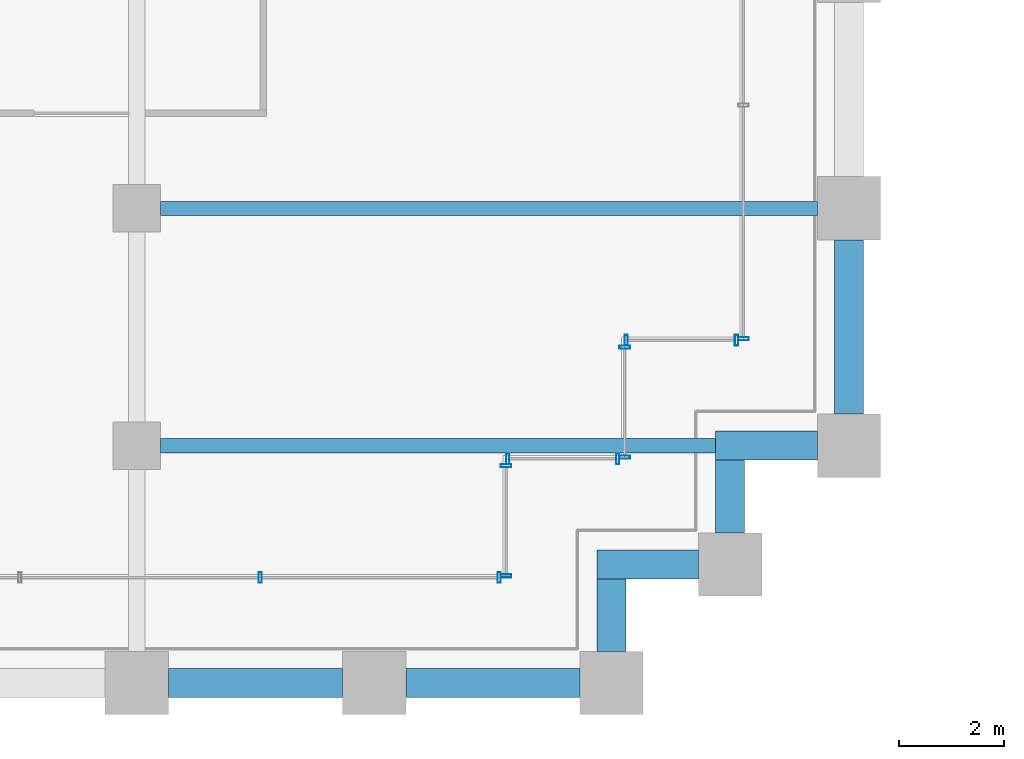
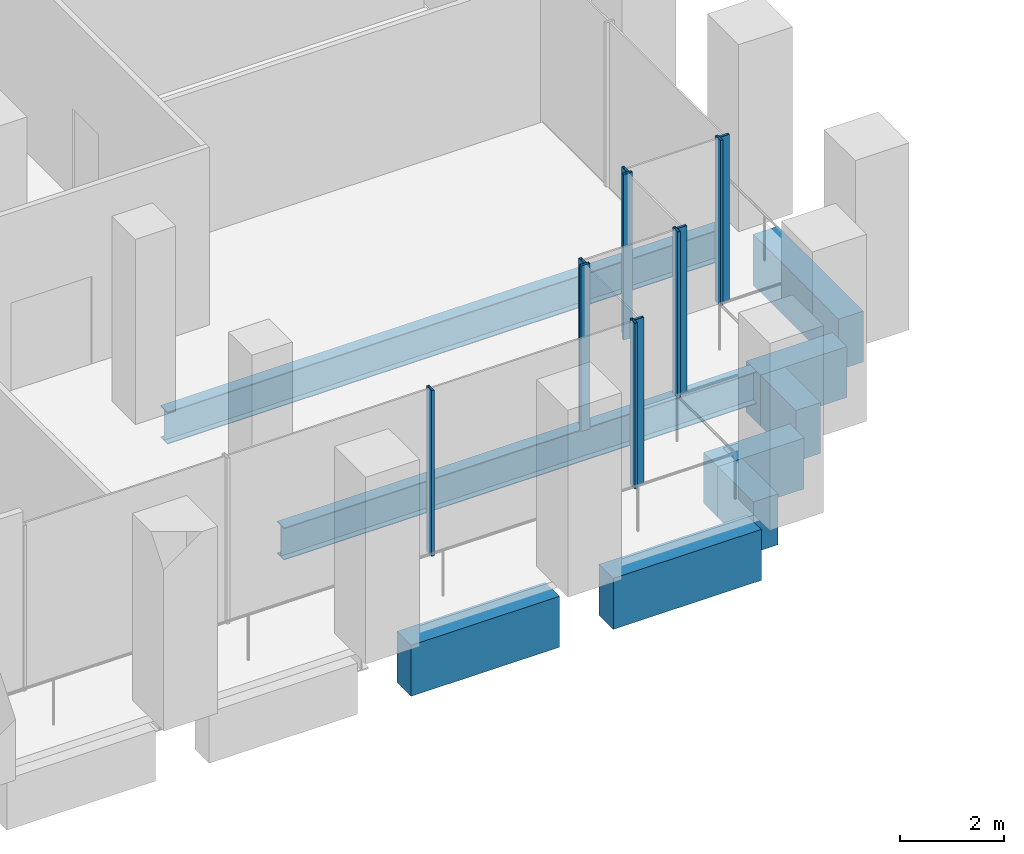
# One storey, part 9 of 36: 11 members, 9 beams, 6 elements without a shape of their own.
"""IFC4 building model written with IfcOpenShell, lengths in metres."""

from ifc_helpers import new_model, si_unit, direction, frame, origin, origin_2d, place, context, subcontext, project, spatial, rectangle, hollow_rectangle, i_section, extrude, material, material_profile, profile_set, type_object, element, aggregate, save


model = new_model("IFC4")

# Units and contexts
model_context = context("Model", 3, precision=1e-05, world=origin(), true_north=direction((0.0, 1.0)))
body_context = subcontext(model_context, "Body", "Model", "MODEL_VIEW")
ifc_project = project(units=[si_unit("LENGTHUNIT", "METRE"), si_unit("AREAUNIT", "SQUARE_METRE"), si_unit("VOLUMEUNIT", "CUBIC_METRE"), si_unit("PLANEANGLEUNIT", "RADIAN"), si_unit("MASSUNIT", "GRAM", prefix="KILO")], contexts=[model_context])

# Site, building, storey
site_placement = place(None, origin())
site = spatial("IfcSite", under=ifc_project, at=site_placement, CompositionType="ELEMENT")
building_placement = place(site_placement, origin())
building = spatial("IfcBuilding", under=site, at=building_placement, Name="Altepetl Exchange Towers", CompositionType="ELEMENT")
storey_placement = place(building_placement, frame((0.0, 0.0, 38.60009765625)))
storey = spatial("IfcBuildingStorey", under=building, at=storey_placement, Name="L08", CompositionType="ELEMENT", Elevation=38.60009765625)

# Beams
ifc_material_1 = material(Name="Steel S355", Category="steel")
ifc_material_profile_1 = material_profile(ifc_material_1, i_section(OverallWidth=0.26611328125, OverallDepth=0.758056640625, WebThickness=0.013916015625, FlangeThickness=0.019287109375, at=origin_2d()), Name="W30X108")
ifc_profile_set_1 = profile_set([ifc_material_profile_1], Name="Steel S355")
beam_type_1 = type_object("IfcBeamType", Name="Floor beam W30X108", PredefinedType="BEAM", material=ifc_profile_set_1)
beam_1_placement = place(storey_placement, frame((58.949951171875, 31.5, -0.55419921875), z_axis=(1.0, 0.0, 0.0), x_axis=(0.0, 1.0, 0.0)))
element("IfcBeam", 1, at=beam_1_placement, inside=storey, type_object=beam_type_1, Name="bm:A:L08:006", PredefinedType="BEAM", context=body_context, shape_type="SweptSolid", body=[
    extrude(i_section(OverallWidth=0.26611328125, OverallDepth=0.758056640625, WebThickness=0.013916015625, FlangeThickness=0.019287109375, at=origin_2d()), origin(), (0.0, 0.0, 1.0), 10.525146484375),
])
beam_2_placement = place(storey_placement, frame((58.949951171875, 36.0, -0.55419921875), z_axis=(1.0, 0.0, 0.0), x_axis=(0.0, 1.0, 0.0)))
element("IfcBeam", 2, at=beam_2_placement, inside=storey, type_object=beam_type_1, Name="bm:A:L08:007", PredefinedType="BEAM", context=body_context, shape_type="SweptSolid", body=[
    extrude(i_section(OverallWidth=0.26611328125, OverallDepth=0.758056640625, WebThickness=0.013916015625, FlangeThickness=0.019287109375, at=origin_2d()), origin(), (0.0, 0.0, 1.0), 12.449951171875),
])

# Curtain wall, members
ifc_material_2 = material(Name="Aluminium 6063-T6 glazing", Category="aluminium")
curtain_wall_type = type_object("IfcCurtainWallType", Name="Trading floor glazing system", PredefinedType="NOTDEFINED", material=ifc_material_2)
curtain_wall_1_placement = place(storey_placement, origin())
curtain_wall_1 = element("IfcCurtainWall", 3, at=curtain_wall_1_placement, inside=storey, type_object=curtain_wall_type, Name="CW2 run", PredefinedType="NOTDEFINED")
ifc_material_3 = material(Name="Aluminium 6063-T6", Category="aluminium")
ifc_material_profile_2 = material_profile(ifc_material_3, hollow_rectangle(XDim=0.06005859375, YDim=0.199951171875, WallThickness=0.0029296875, at=origin_2d()), Name="Mullion 60x200 aluminium")
ifc_profile_set_2 = profile_set([ifc_material_profile_2], Name="Aluminium 6063-T6")
member_type = type_object("IfcMemberType", Name="Mullion 60x200 aluminium", PredefinedType="MULLION", material=ifc_profile_set_2)
member_1_placement = place(storey_placement, frame((60.8427734375, 29.0, 0.0)))
member_1 = element("IfcMember", 4, at=member_1_placement, type_object=member_type, Name="MU2 mullion", PredefinedType="MULLION", context=body_context, shape_type="SweptSolid", body=[
    extrude(hollow_rectangle(XDim=0.06005859375, YDim=0.199951171875, WallThickness=0.0029296875, at=origin_2d()), origin(), (0.0, 0.0, 1.0), 3.89990234375),
])
member_2_placement = place(storey_placement, frame((65.3701171875, 29.0, 0.0)))
member_2 = element("IfcMember", 5, at=member_2_placement, type_object=member_type, Name="MU2 mullion", PredefinedType="MULLION", context=body_context, shape_type="SweptSolid", body=[
    extrude(hollow_rectangle(XDim=0.06005859375, YDim=0.199951171875, WallThickness=0.0029296875, at=origin_2d()), origin(), (0.0, 0.0, 1.0), 3.89990234375),
])
aggregate(curtain_wall_1, [member_1, member_2])

curtain_wall_2_placement = place(storey_placement, origin())
curtain_wall_2 = element("IfcCurtainWall", 6, at=curtain_wall_2_placement, inside=storey, type_object=curtain_wall_type, Name="CW2 run", PredefinedType="NOTDEFINED")
member_3_placement = place(storey_placement, frame((65.5, 29.030029296875, 0.0), z_axis=(0.0, 0.0, 1.0), x_axis=(0.0, 1.0, 0.0)))
member_3 = element("IfcMember", 7, at=member_3_placement, type_object=member_type, Name="MU2 mullion", PredefinedType="MULLION", context=body_context, shape_type="SweptSolid", body=[
    extrude(hollow_rectangle(XDim=0.06005859375, YDim=0.199951171875, WallThickness=0.0029296875, at=origin_2d()), origin(), (0.0, 0.0, 1.0), 3.89990234375),
])
member_4_placement = place(storey_placement, frame((65.5, 31.1201171875, 0.0), z_axis=(0.0, 0.0, 1.0), x_axis=(0.0, 1.0, 0.0)))
member_4 = element("IfcMember", 8, at=member_4_placement, type_object=member_type, Name="MU2 mullion", PredefinedType="MULLION", context=body_context, shape_type="SweptSolid", body=[
    extrude(hollow_rectangle(XDim=0.06005859375, YDim=0.199951171875, WallThickness=0.0029296875, at=origin_2d()), origin(), (0.0, 0.0, 1.0), 3.89990234375),
])
aggregate(curtain_wall_2, [member_3, member_4])

curtain_wall_3_placement = place(storey_placement, origin())
curtain_wall_3 = element("IfcCurtainWall", 9, at=curtain_wall_3_placement, inside=storey, type_object=curtain_wall_type, Name="CW2 run", PredefinedType="NOTDEFINED")
member_5_placement = place(storey_placement, frame((65.530029296875, 31.25, 0.0)))
member_5 = element("IfcMember", 10, at=member_5_placement, type_object=member_type, Name="MU2 mullion", PredefinedType="MULLION", context=body_context, shape_type="SweptSolid", body=[
    extrude(hollow_rectangle(XDim=0.06005859375, YDim=0.199951171875, WallThickness=0.0029296875, at=origin_2d()), origin(), (0.0, 0.0, 1.0), 3.89990234375),
])
member_6_placement = place(storey_placement, frame((67.6201171875, 31.25, 0.0)))
member_6 = element("IfcMember", 11, at=member_6_placement, type_object=member_type, Name="MU2 mullion", PredefinedType="MULLION", context=body_context, shape_type="SweptSolid", body=[
    extrude(hollow_rectangle(XDim=0.06005859375, YDim=0.199951171875, WallThickness=0.0029296875, at=origin_2d()), origin(), (0.0, 0.0, 1.0), 3.89990234375),
])
aggregate(curtain_wall_3, [member_5, member_6])

curtain_wall_4_placement = place(storey_placement, origin())
curtain_wall_4 = element("IfcCurtainWall", 12, at=curtain_wall_4_placement, inside=storey, type_object=curtain_wall_type, Name="CW2 run", PredefinedType="NOTDEFINED")
member_7_placement = place(storey_placement, frame((67.75, 31.280029296875, 0.0), z_axis=(0.0, 0.0, 1.0), x_axis=(0.0, 1.0, 0.0)))
member_7 = element("IfcMember", 13, at=member_7_placement, type_object=member_type, Name="MU2 mullion", PredefinedType="MULLION", context=body_context, shape_type="SweptSolid", body=[
    extrude(hollow_rectangle(XDim=0.06005859375, YDim=0.199951171875, WallThickness=0.0029296875, at=origin_2d()), origin(), (0.0, 0.0, 1.0), 3.89990234375),
])
member_8_placement = place(storey_placement, frame((67.75, 33.3701171875, 0.0), z_axis=(0.0, 0.0, 1.0), x_axis=(0.0, 1.0, 0.0)))
member_8 = element("IfcMember", 14, at=member_8_placement, type_object=member_type, Name="MU2 mullion", PredefinedType="MULLION", context=body_context, shape_type="SweptSolid", body=[
    extrude(hollow_rectangle(XDim=0.06005859375, YDim=0.199951171875, WallThickness=0.0029296875, at=origin_2d()), origin(), (0.0, 0.0, 1.0), 3.89990234375),
])
aggregate(curtain_wall_4, [member_7, member_8])

curtain_wall_5_placement = place(storey_placement, origin())
curtain_wall_5 = element("IfcCurtainWall", 15, at=curtain_wall_5_placement, inside=storey, type_object=curtain_wall_type, Name="CW2 run", PredefinedType="NOTDEFINED")
member_9_placement = place(storey_placement, frame((67.780029296875, 33.5, 0.0)))
member_9 = element("IfcMember", 16, at=member_9_placement, type_object=member_type, Name="MU2 mullion", PredefinedType="MULLION", context=body_context, shape_type="SweptSolid", body=[
    extrude(hollow_rectangle(XDim=0.06005859375, YDim=0.199951171875, WallThickness=0.0029296875, at=origin_2d()), origin(), (0.0, 0.0, 1.0), 3.89990234375),
])
member_10_placement = place(storey_placement, frame((69.8701171875, 33.5, 0.0)))
member_10 = element("IfcMember", 17, at=member_10_placement, type_object=member_type, Name="MU2 mullion", PredefinedType="MULLION", context=body_context, shape_type="SweptSolid", body=[
    extrude(hollow_rectangle(XDim=0.06005859375, YDim=0.199951171875, WallThickness=0.0029296875, at=origin_2d()), origin(), (0.0, 0.0, 1.0), 3.89990234375),
])
aggregate(curtain_wall_5, [member_9, member_10])

# Curtain wall, member
curtain_wall_6_placement = place(storey_placement, origin())
curtain_wall_6 = element("IfcCurtainWall", 18, at=curtain_wall_6_placement, inside=storey, type_object=curtain_wall_type, Name="CW2 run", PredefinedType="NOTDEFINED")
member_11_placement = place(storey_placement, frame((70.0, 33.530029296875, 0.0), z_axis=(0.0, 0.0, 1.0), x_axis=(0.0, 1.0, 0.0)))
member_11 = element("IfcMember", 19, at=member_11_placement, type_object=member_type, Name="MU2 mullion", PredefinedType="MULLION", context=body_context, shape_type="SweptSolid", body=[
    extrude(hollow_rectangle(XDim=0.06005859375, YDim=0.199951171875, WallThickness=0.0029296875, at=origin_2d()), origin(), (0.0, 0.0, 1.0), 3.89990234375),
])
aggregate(curtain_wall_6, [member_11])

# Beams
ifc_material_4 = material(Name="Concrete C50/60 precast with cantera amarilla facing", Category="concrete")
ifc_material_profile_3 = material_profile(ifc_material_4, rectangle(XDim=0.550048828125, YDim=1.199951171875, at=origin_2d()), Name="550 x 1200")
ifc_profile_set_3 = profile_set([ifc_material_profile_3], Name="Concrete C50/60 precast with cantera amarilla facing")
beam_type_2 = type_object("IfcBeamType", Name="Spandrel beam 550x1200 cantera amarilla", PredefinedType="SPANDREL", material=ifc_profile_set_3)
for number, where, z_axis, x_axis, name in (
    (20, (59.10009765625, 27.0, -0.775146484375), (1.0, 0.0, 0.0), (0.0, 1.0, 0.0), "sp:A:L08:006"),
    (21, (63.60009765625, 27.0, -0.775146484375), (1.0, 0.0, 0.0), (0.0, 1.0, 0.0), "sp:A:L08:007"),
):
    element("IfcBeam", number, at=place(storey_placement, frame(where, z_axis=z_axis, x_axis=x_axis)), inside=storey, type_object=beam_type_2, Name=name, PredefinedType="SPANDREL", context=body_context, shape_type="SweptSolid", body=[
        extrude(rectangle(XDim=0.550048828125, YDim=1.199951171875, at=origin_2d()), origin(), (0.0, 0.0, 1.0), 3.2998046875),
    ])
beam_3_placement = place(storey_placement, frame((67.5, 27.60009765625, -0.775146484375), z_axis=(0.0, 1.0, 0.0), x_axis=(-1.0, 0.0, 0.0)))
element("IfcBeam", 22, at=beam_3_placement, inside=storey, type_object=beam_type_2, Name="sp:A:L08:008", PredefinedType="SPANDREL", context=body_context, shape_type="SweptSolid", body=[
    extrude(rectangle(XDim=0.550048828125, YDim=1.199951171875, at=origin_2d()), origin(), (0.0, 0.0, 1.0), 1.375),
])
beam_4_placement = place(storey_placement, frame((67.22509765625, 29.25, -0.775146484375), z_axis=(1.0, 0.0, 0.0), x_axis=(0.0, 1.0, 0.0)))
element("IfcBeam", 23, at=beam_4_placement, inside=storey, type_object=beam_type_2, Name="sp:A:L08:009", PredefinedType="SPANDREL", context=body_context, shape_type="SweptSolid", body=[
    extrude(rectangle(XDim=0.550048828125, YDim=1.199951171875, at=origin_2d()), origin(), (0.0, 0.0, 1.0), 1.9248046875),
])
beam_5_placement = place(storey_placement, frame((69.75, 29.85009765625, -0.775146484375), z_axis=(0.0, 1.0, 0.0), x_axis=(-1.0, 0.0, 0.0)))
element("IfcBeam", 24, at=beam_5_placement, inside=storey, type_object=beam_type_2, Name="sp:A:L08:010", PredefinedType="SPANDREL", context=body_context, shape_type="SweptSolid", body=[
    extrude(rectangle(XDim=0.550048828125, YDim=1.199951171875, at=origin_2d()), origin(), (0.0, 0.0, 1.0), 1.375),
])
beam_6_placement = place(storey_placement, frame((69.47509765625, 31.5, -0.775146484375), z_axis=(1.0, 0.0, 0.0), x_axis=(0.0, 1.0, 0.0)))
element("IfcBeam", 25, at=beam_6_placement, inside=storey, type_object=beam_type_2, Name="sp:A:L08:011", PredefinedType="SPANDREL", context=body_context, shape_type="SweptSolid", body=[
    extrude(rectangle(XDim=0.550048828125, YDim=1.199951171875, at=origin_2d()), origin(), (0.0, 0.0, 1.0), 1.9248046875),
])
beam_7_placement = place(storey_placement, frame((72.0, 32.10009765625, -0.775146484375), z_axis=(0.0, 1.0, 0.0), x_axis=(-1.0, 0.0, 0.0)))
element("IfcBeam", 26, at=beam_7_placement, inside=storey, type_object=beam_type_2, Name="sp:A:L08:012", PredefinedType="SPANDREL", context=body_context, shape_type="SweptSolid", body=[
    extrude(rectangle(XDim=0.550048828125, YDim=1.199951171875, at=origin_2d()), origin(), (0.0, 0.0, 1.0), 3.2998046875),
])

save(model, "model.ifc")
